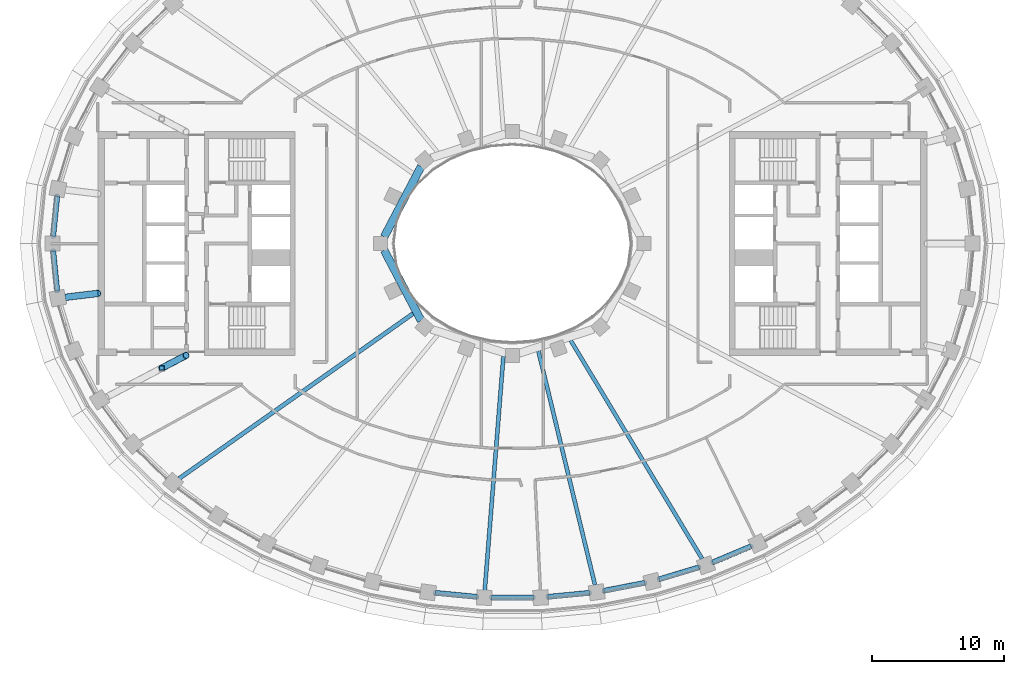
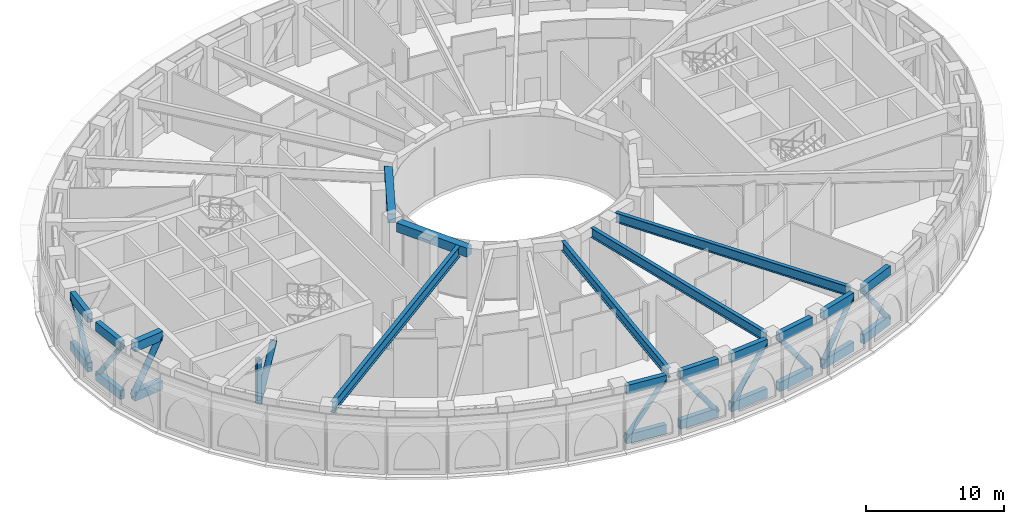
# One storey, part 2 of 25: 24 beams, 11 members.
"""IFC4 building model written with IfcOpenShell, lengths in metres."""

from ifc_helpers import new_model, si_unit, direction, frame, origin, origin_2d, place, context, subcontext, project, spatial, rectangle, hollow_rectangle, hollow_circle, i_section, extrude, material, material_profile, profile_set, type_object, element, save


model = new_model("IFC4")

# Units and contexts
model_context = context("Model", 3, precision=1e-05, world=origin(), true_north=direction((0.0, 1.0)))
body_context = subcontext(model_context, "Body", "Model", "MODEL_VIEW")
ifc_project = project(units=[si_unit("LENGTHUNIT", "METRE"), si_unit("AREAUNIT", "SQUARE_METRE"), si_unit("VOLUMEUNIT", "CUBIC_METRE"), si_unit("PLANEANGLEUNIT", "RADIAN"), si_unit("MASSUNIT", "GRAM", prefix="KILO")], contexts=[model_context])

# Site, building, storey
site_placement = place(None, origin())
site = spatial("IfcSite", under=ifc_project, at=site_placement, CompositionType="ELEMENT")
building_placement = place(site_placement, origin())
building = spatial("IfcBuilding", under=site, at=building_placement, Name="Noorbagh Ring Tower", CompositionType="ELEMENT")
storey_placement = place(building_placement, frame((0.0, 0.0, 198.0)))
storey = spatial("IfcBuildingStorey", under=building, at=storey_placement, Name="L46", CompositionType="ELEMENT", Elevation=198.0)

# Beams
ifc_material_1 = material(Name="Steel S460", Category="steel")
ifc_material_profile_1 = material_profile(ifc_material_1, hollow_rectangle(XDim=0.39990234375, YDim=0.800048828125, WallThickness=0.031982421875, at=origin_2d()), Name="BOX800x400x32")
ifc_profile_set_1 = profile_set([ifc_material_profile_1], Name="Steel S460")
beam_type_1 = type_object("IfcBeamType", Name="STR-BELT-TRUSS-CHORD-BOX800x400x32-S460", PredefinedType="BEAM", material=ifc_profile_set_1)
for number, where, z_axis, x_axis, name in (
    (1, (-34.582763671875, 3.595703125, 0.39990234375), (-0.100183960155, -0.994968931237, 0.0), (0.994968931237, -0.100183960155, 0.0), "Belt truss chord"),
    (2, (-34.582763671875, 3.595703125, 4.75), (-0.100183960155, -0.994968931237, 0.0), (0.994968931237, -0.100183960155, 0.0), "Belt truss chord"),
    (3, (-34.888916015625, -0.55517578125, 0.39990234375), (0.100183960155, -0.994968931237, 0.0), (0.994968931237, 0.100183960155, 0.0), "Belt truss chord"),
    (4, (-34.888916015625, -0.55517578125, 4.75), (0.100183960155, -0.994968931237, 0.0), (0.994968931237, 0.100183960155, 0.0), "Belt truss chord"),
):
    element("IfcBeam", number, at=place(storey_placement, frame(where, z_axis=z_axis, x_axis=x_axis)), inside=storey, type_object=beam_type_1, Name=name, PredefinedType="BEAM", context=body_context, shape_type="SweptSolid", body=[
        extrude(hollow_rectangle(XDim=0.39990234375, YDim=0.800048828125, WallThickness=0.031982421875, at=origin_2d()), origin(), (0.0, 0.0, 1.0), 3.055908203125),
    ])
for number, where, z_axis, x_axis, name in (
    (5, (-5.856201171875, -26.543701171875, 0.39990234375), (0.995478518673, -0.094986940474, 0.0), (0.094986940474, 0.995478518673, 0.0), "Belt truss chord"),
    (6, (-5.856201171875, -26.543701171875, 4.75), (0.995478518673, -0.094986940474, 0.0), (0.094986940474, 0.995478518673, 0.0), "Belt truss chord"),
):
    element("IfcBeam", number, at=place(storey_placement, frame(where, z_axis=z_axis, x_axis=x_axis)), inside=storey, type_object=beam_type_1, Name=name, PredefinedType="BEAM", context=body_context, shape_type="SweptSolid", body=[
        extrude(hollow_rectangle(XDim=0.39990234375, YDim=0.800048828125, WallThickness=0.031982421875, at=origin_2d()), origin(), (0.0, 0.0, 1.0), 3.17431640625),
    ])
for number, where, z_axis, x_axis, name in (
    (7, (-1.587646484375, -26.89794921875, 0.39990234375), (1.0, 0.0, 0.0), (0.0, 1.0, 0.0), "Belt truss chord"),
    (8, (-1.587646484375, -26.89794921875, 4.75), (1.0, 0.0, 0.0), (0.0, 1.0, 0.0), "Belt truss chord"),
):
    element("IfcBeam", number, at=place(storey_placement, frame(where, z_axis=z_axis, x_axis=x_axis)), inside=storey, type_object=beam_type_1, Name=name, PredefinedType="BEAM", context=body_context, shape_type="SweptSolid", body=[
        extrude(hollow_rectangle(XDim=0.39990234375, YDim=0.800048828125, WallThickness=0.031982421875, at=origin_2d()), origin(), (0.0, 0.0, 1.0), 3.17529296875),
    ])
for number, where, z_axis, x_axis, name in (
    (9, (2.6962890625, -26.84521484375, 0.39990234375), (0.995478518673, 0.094986940474, 0.0), (-0.094986940474, 0.995478518673, 0.0), "Belt truss chord"),
    (10, (2.6962890625, -26.84521484375, 4.75), (0.995478518673, 0.094986940474, 0.0), (-0.094986940474, 0.995478518673, 0.0), "Belt truss chord"),
):
    element("IfcBeam", number, at=place(storey_placement, frame(where, z_axis=z_axis, x_axis=x_axis)), inside=storey, type_object=beam_type_1, Name=name, PredefinedType="BEAM", context=body_context, shape_type="SweptSolid", body=[
        extrude(hollow_rectangle(XDim=0.39990234375, YDim=0.800048828125, WallThickness=0.031982421875, at=origin_2d()), origin(), (0.0, 0.0, 1.0), 3.17431640625),
    ])
for number, where, z_axis, x_axis, name in (
    (11, (6.954833984375, -26.384765625, 0.39990234375), (0.98163221506, 0.190783108151, 0.0), (-0.190783108151, 0.98163221506, 0.0), "Belt truss chord"),
    (12, (6.954833984375, -26.384765625, 4.75), (0.98163221506, 0.190783108151, 0.0), (-0.190783108151, 0.98163221506, 0.0), "Belt truss chord"),
):
    element("IfcBeam", number, at=place(storey_placement, frame(where, z_axis=z_axis, x_axis=x_axis)), inside=storey, type_object=beam_type_1, Name=name, PredefinedType="BEAM", context=body_context, shape_type="SweptSolid", body=[
        extrude(hollow_rectangle(XDim=0.39990234375, YDim=0.800048828125, WallThickness=0.031982421875, at=origin_2d()), origin(), (0.0, 0.0, 1.0), 3.171142578125),
    ])
for number, where, z_axis, x_axis, name in (
    (13, (11.145263671875, -25.513427734375, 0.39990234375), (0.957586143245, 0.288147146897, 0.0), (-0.288147146897, 0.957586143245, 0.0), "Belt truss chord"),
    (14, (11.145263671875, -25.513427734375, 4.75), (0.957586143245, 0.288147146897, 0.0), (-0.288147146897, 0.957586143245, 0.0), "Belt truss chord"),
):
    element("IfcBeam", number, at=place(storey_placement, frame(where, z_axis=z_axis, x_axis=x_axis)), inside=storey, type_object=beam_type_1, Name=name, PredefinedType="BEAM", context=body_context, shape_type="SweptSolid", body=[
        extrude(hollow_rectangle(XDim=0.39990234375, YDim=0.800048828125, WallThickness=0.031982421875, at=origin_2d()), origin(), (0.0, 0.0, 1.0), 3.166259765625),
    ])
for number, where, z_axis, x_axis, name in (
    (15, (15.221923828125, -24.225341796875, 0.39990234375), (0.921825849556, 0.387604312528, 0.0), (-0.387604312528, 0.921825849556, 0.0), "Belt truss chord"),
    (16, (15.221923828125, -24.225341796875, 4.75), (0.921825849556, 0.387604312528, 0.0), (-0.387604312528, 0.921825849556, 0.0), "Belt truss chord"),
):
    element("IfcBeam", number, at=place(storey_placement, frame(where, z_axis=z_axis, x_axis=x_axis)), inside=storey, type_object=beam_type_1, Name=name, PredefinedType="BEAM", context=body_context, shape_type="SweptSolid", body=[
        extrude(hollow_rectangle(XDim=0.39990234375, YDim=0.800048828125, WallThickness=0.031982421875, at=origin_2d()), origin(), (0.0, 0.0, 1.0), 3.15869140625),
    ])

# Members
ifc_material_2 = material(Name="Steel S355", Category="steel")
ifc_material_profile_2 = material_profile(ifc_material_2, hollow_circle(Radius=0.203125, WallThickness=0.01611328125, at=origin_2d()), Name="CHS406.4x16")
ifc_profile_set_2 = profile_set([ifc_material_profile_2], Name="Steel S355")
member_type_1 = type_object("IfcMemberType", Name="STR-BELT-TRUSS-DIAGONAL-CHS406.4x16", PredefinedType="BRACE", material=ifc_profile_set_2)
for number, where, z_axis, x_axis, name in (
    (17, (-34.888916015625, 0.55517578125, 0.39990234375), (0.05758866659, 0.571937203919, 0.818273414119), (-0.994968931237, 0.100183960155, 0.0), "Belt truss diagonal"),
    (18, (-34.888916015625, -0.55517578125, 0.39990234375), (0.05758866659, -0.571937203919, 0.818273414119), (0.994968931237, 0.100183960155, 0.0), "Belt truss diagonal"),
):
    element("IfcMember", number, at=place(storey_placement, frame(where, z_axis=z_axis, x_axis=x_axis)), inside=storey, type_object=member_type_1, Name=name, PredefinedType="BRACE", context=body_context, shape_type="SweptSolid", body=[
        extrude(hollow_circle(Radius=0.203125, WallThickness=0.01611328125, at=origin_2d()), origin(), (0.0, 0.0, 1.0), 5.316162109375),
    ])
member_1_placement = place(storey_placement, frame((-5.856201171875, -26.543701171875, 0.39990234375), z_axis=(0.58678798266, -0.055990354522, 0.807802539985), x_axis=(0.094986940474, 0.995478518673, 0.0)))
element("IfcMember", 19, at=member_1_placement, inside=storey, type_object=member_type_1, Name="Belt truss diagonal", PredefinedType="BRACE", context=body_context, shape_type="SweptSolid", body=[
    extrude(hollow_circle(Radius=0.203125, WallThickness=0.01611328125, at=origin_2d()), origin(), (0.0, 0.0, 1.0), 5.385009765625),
])
member_2_placement = place(storey_placement, frame((1.587646484375, -26.89794921875, 0.39990234375), z_axis=(-0.589577790495, 0.0, 0.807711600111), x_axis=(0.0, -1.0, 0.0)))
element("IfcMember", 20, at=member_2_placement, inside=storey, type_object=member_type_1, Name="Belt truss diagonal", PredefinedType="BRACE", context=body_context, shape_type="SweptSolid", body=[
    extrude(hollow_circle(Radius=0.203125, WallThickness=0.01611328125, at=origin_2d()), origin(), (0.0, 0.0, 1.0), 5.3857421875),
])
member_3_placement = place(storey_placement, frame((2.6962890625, -26.84521484375, 0.39990234375), z_axis=(0.58678798266, 0.055990354522, 0.807802539985), x_axis=(-0.094986940474, 0.995478518673, 0.0)))
element("IfcMember", 21, at=member_3_placement, inside=storey, type_object=member_type_1, Name="Belt truss diagonal", PredefinedType="BRACE", context=body_context, shape_type="SweptSolid", body=[
    extrude(hollow_circle(Radius=0.203125, WallThickness=0.01611328125, at=origin_2d()), origin(), (0.0, 0.0, 1.0), 5.385009765625),
])
member_4_placement = place(storey_placement, frame((10.067626953125, -25.77978515625, 0.39990234375), z_axis=(-0.578242229453, -0.112383078007, 0.80808784662), x_axis=(0.190783108151, -0.98163221506, 0.0)))
element("IfcMember", 22, at=member_4_placement, inside=storey, type_object=member_type_1, Name="Belt truss diagonal", PredefinedType="BRACE", context=body_context, shape_type="SweptSolid", body=[
    extrude(hollow_circle(Radius=0.203125, WallThickness=0.01611328125, at=origin_2d()), origin(), (0.0, 0.0, 1.0), 5.38330078125),
])
member_5_placement = place(storey_placement, frame((11.145263671875, -25.513427734375, 0.39990234375), z_axis=(0.563524077368, 0.169569971586, 0.808508898506), x_axis=(-0.288147146897, 0.957586143245, 0.0)))
element("IfcMember", 23, at=member_5_placement, inside=storey, type_object=member_type_1, Name="Belt truss diagonal", PredefinedType="BRACE", context=body_context, shape_type="SweptSolid", body=[
    extrude(hollow_circle(Radius=0.203125, WallThickness=0.01611328125, at=origin_2d()), origin(), (0.0, 0.0, 1.0), 5.38037109375),
])
member_6_placement = place(storey_placement, frame((18.1337890625, -23.0009765625, 0.39990234375), z_axis=(-0.541641570646, -0.227746497593, 0.809169909094), x_axis=(0.387604312528, -0.921825849556, 0.0)))
element("IfcMember", 24, at=member_6_placement, inside=storey, type_object=member_type_1, Name="Belt truss diagonal", PredefinedType="BRACE", context=body_context, shape_type="SweptSolid", body=[
    extrude(hollow_circle(Radius=0.203125, WallThickness=0.01611328125, at=origin_2d()), origin(), (0.0, 0.0, 1.0), 5.3759765625),
])

# Beams
ifc_material_3 = material(Name="Steel S460", Category="steel")
ifc_material_profile_3 = material_profile(ifc_material_3, hollow_rectangle(XDim=0.5, YDim=0.800048828125, WallThickness=0.0400390625, at=origin_2d()), Name="BOX800x500x40")
ifc_profile_set_3 = profile_set([ifc_material_profile_3], Name="Steel S460")
beam_type_2 = type_object("IfcBeamType", Name="STR-OUTRIGGER-TRUSS-CHORD-BOX800x500x40-S460", PredefinedType="BEAM", material=ifc_profile_set_3)
for number, where, z_axis, x_axis, name in (
    (25, (-33.973876953125, -4.084228515625, 0.39990234375), (0.992850135932, 0.119367531518, 0.0), (-0.119367531518, 0.992850135932, 0.0), "Outrigger truss chord"),
    (26, (-33.973876953125, -4.084228515625, 4.75), (0.992850135932, 0.119367531518, 0.0), (-0.119367531518, 0.992850135932, 0.0), "Outrigger truss chord"),
):
    element("IfcBeam", number, at=place(storey_placement, frame(where, z_axis=z_axis, x_axis=x_axis)), inside=storey, type_object=beam_type_2, Name=name, PredefinedType="BEAM", context=body_context, shape_type="SweptSolid", body=[
        extrude(hollow_rectangle(XDim=0.5, YDim=0.800048828125, WallThickness=0.0400390625, at=origin_2d()), origin(), (0.0, 0.0, 1.0), 2.51171875),
    ])

# Members
ifc_material_4 = material(Name="Steel S355", Category="steel")
ifc_material_profile_4 = material_profile(ifc_material_4, hollow_circle(Radius=0.25390625, WallThickness=0.02490234375, at=origin_2d()), Name="CHS508x25")
ifc_profile_set_4 = profile_set([ifc_material_profile_4], Name="Steel S355")
member_type_2 = type_object("IfcMemberType", Name="STR-OUTRIGGER-TRUSS-DIAGONAL-CHS508x25", PredefinedType="BRACE", material=ifc_profile_set_4)
member_7_placement = place(storey_placement, frame((-33.973876953125, -4.084228515625, 0.39990234375), z_axis=(0.496436921564, 0.059685190883, 0.866018510713), x_axis=(-0.119367531518, 0.992850135932, 0.0)))
element("IfcMember", 27, at=member_7_placement, inside=storey, type_object=member_type_2, Name="Outrigger truss diagonal", PredefinedType="BRACE", context=body_context, shape_type="SweptSolid", body=[
    extrude(hollow_circle(Radius=0.25390625, WallThickness=0.02490234375, at=origin_2d()), origin(), (0.0, 0.0, 1.0), 5.023193359375),
])
member_8_placement = place(storey_placement, frame((-26.63720703125, -9.464111328125, 0.39990234375), z_axis=(0.38293582133, 0.20128418304, 0.901579078284), x_axis=(-0.465273952516, 0.885166735203, 0.0)))
element("IfcMember", 28, at=member_8_placement, inside=storey, type_object=member_type_2, Name="Outrigger truss diagonal", PredefinedType="BRACE", context=body_context, shape_type="SweptSolid", body=[
    extrude(hollow_circle(Radius=0.25390625, WallThickness=0.02490234375, at=origin_2d()), origin(), (0.0, 0.0, 1.0), 4.824951171875),
])
ifc_material_5 = material(Name="Steel S355", Category="steel")
ifc_material_profile_5 = material_profile(ifc_material_5, hollow_rectangle(XDim=0.39990234375, YDim=0.39990234375, WallThickness=0.02490234375, InnerFilletRadius=0.02490234375, OuterFilletRadius=0.0625, at=origin_2d()), Name="SHS400x400x25")
ifc_profile_set_5 = profile_set([ifc_material_profile_5], Name="Steel S355")
member_type_3 = type_object("IfcMemberType", Name="STR-OUTRIGGER-TRUSS-POST-SHS400x400x25", PredefinedType="POST", material=ifc_profile_set_5)
member_9_placement = place(storey_placement, frame((-26.63720703125, -9.464111328125, 0.800048828125), z_axis=(0.0, 0.0, 1.0), x_axis=(1.0, 0.0, 0.0)))
element("IfcMember", 29, at=member_9_placement, inside=storey, type_object=member_type_3, Name="Outrigger truss post", PredefinedType="POST", context=body_context, shape_type="SweptSolid", body=[
    extrude(hollow_rectangle(XDim=0.39990234375, YDim=0.39990234375, WallThickness=0.02490234375, InnerFilletRadius=0.02490234375, OuterFilletRadius=0.0625, at=origin_2d()), origin(), (0.0, 0.0, 1.0), 3.550048828125),
])

# Beams
ifc_material_6 = material(Name="Steel S355", Category="steel")
ifc_material_profile_6 = material_profile(ifc_material_6, i_section(OverallWidth=0.300048828125, OverallDepth=0.85009765625, WebThickness=0.013916015625, FlangeThickness=0.028076171875, at=origin_2d()), Name="PG850x300x14x28")
ifc_profile_set_6 = profile_set([ifc_material_profile_6], Name="Steel S355")
beam_type_3 = type_object("IfcBeamType", Name="STR-RAD-PG850x300x14x28", PredefinedType="BEAM", material=ifc_profile_set_6)
beam_1_placement = place(storey_placement, frame((-2.09912109375, -26.344482421875, 4.72509765625), z_axis=(0.079426755243, 0.996840704702, 0.0), x_axis=(-0.996840704702, 0.079426755243, 0.0)))
element("IfcBeam", 30, at=beam_1_placement, inside=storey, type_object=beam_type_3, Name="L46/bm/RD35", PredefinedType="BEAM", context=body_context, shape_type="SweptSolid", body=[
    extrude(i_section(OverallWidth=0.300048828125, OverallDepth=0.85009765625, WebThickness=0.013916015625, FlangeThickness=0.028076171875, at=origin_2d()), origin(), (0.0, 0.0, 1.0), 17.824951171875),
])
beam_2_placement = place(storey_placement, frame((6.278076171875, -25.948974609375, 4.72509765625), z_axis=(-0.235157209599, 0.971957348228, 0.0), x_axis=(-0.971957348228, -0.235157209599, 0.0)))
element("IfcBeam", 31, at=beam_2_placement, inside=storey, type_object=beam_type_3, Name="L46/bm/RD37", PredefinedType="BEAM", context=body_context, shape_type="SweptSolid", body=[
    extrude(i_section(OverallWidth=0.300048828125, OverallDepth=0.85009765625, WebThickness=0.013916015625, FlangeThickness=0.028076171875, at=origin_2d()), origin(), (0.0, 0.0, 1.0), 18.3056640625),
])
beam_3_placement = place(storey_placement, frame((14.41748046875, -23.95556640625, 4.72509765625), z_axis=(-0.515657480155, 0.856794819756, 0.0), x_axis=(-0.856794819756, -0.515657480155, 0.0)))
element("IfcBeam", 32, at=beam_3_placement, inside=storey, type_object=beam_type_3, Name="L46/bm/RD39", PredefinedType="BEAM", context=body_context, shape_type="SweptSolid", body=[
    extrude(i_section(OverallWidth=0.300048828125, OverallDepth=0.85009765625, WebThickness=0.013916015625, FlangeThickness=0.028076171875, at=origin_2d()), origin(), (0.0, 0.0, 1.0), 19.36962890625),
])
ifc_material_7 = material(Name="Steel S355", Category="steel")
ifc_material_profile_7 = material_profile(ifc_material_7, i_section(OverallWidth=0.320068359375, OverallDepth=0.949951171875, WebThickness=0.01611328125, FlangeThickness=0.030029296875, at=origin_2d()), Name="PG950x320x16x30")
ifc_profile_set_7 = profile_set([ifc_material_profile_7], Name="Steel S355")
beam_type_4 = type_object("IfcBeamType", Name="STR-RAD-PG950x320x16x30", PredefinedType="BEAM", material=ifc_profile_set_7)
beam_4_placement = place(storey_placement, frame((-25.313720703125, -17.849609375, 4.675048828125), z_axis=(0.81725576223, 0.576275124487, 0.0), x_axis=(-0.576275124487, 0.81725576223, 0.0)))
element("IfcBeam", 33, at=beam_4_placement, inside=storey, type_object=beam_type_4, Name="L46/bm/RD29", PredefinedType="BEAM", context=body_context, shape_type="SweptSolid", body=[
    extrude(i_section(OverallWidth=0.320068359375, OverallDepth=0.949951171875, WebThickness=0.01611328125, FlangeThickness=0.030029296875, at=origin_2d()), origin(), (0.0, 0.0, 1.0), 21.754638671875),
])
ifc_material_8 = material(Name="Concrete C40/50", Category="concrete")
ifc_material_profile_8 = material_profile(ifc_material_8, rectangle(XDim=0.60009765625, YDim=0.800048828125, at=origin_2d()), Name="RC600x800")
ifc_profile_set_8 = profile_set([ifc_material_profile_8], Name="Concrete C40/50")
beam_type_5 = type_object("IfcBeamType", Name="STR-RB-RC600x800-C40-50", PredefinedType="BEAM", material=ifc_profile_set_8)
for number, where, z_axis, x_axis, name in (
    (34, (-6.934326171875, 5.853759765625, 4.75), (-0.464929768283, -0.885347564838, 0.0), (0.885347564838, -0.464929768283, 0.0), "L46/bm/RG07"),
    (35, (-9.741943359375, -0.50732421875, 4.75), (0.464929768283, -0.885347564838, 0.0), (0.885347564838, 0.464929768283, 0.0), "L46/bm/RG09"),
):
    element("IfcBeam", number, at=place(storey_placement, frame(where, z_axis=z_axis, x_axis=x_axis)), inside=storey, type_object=beam_type_5, Name=name, PredefinedType="BEAM", context=body_context, shape_type="SweptSolid", body=[
        extrude(rectangle(XDim=0.60009765625, YDim=0.800048828125, at=origin_2d()), origin(), (0.0, 0.0, 1.0), 6.038818359375),
    ])

save(model, "model.ifc")
